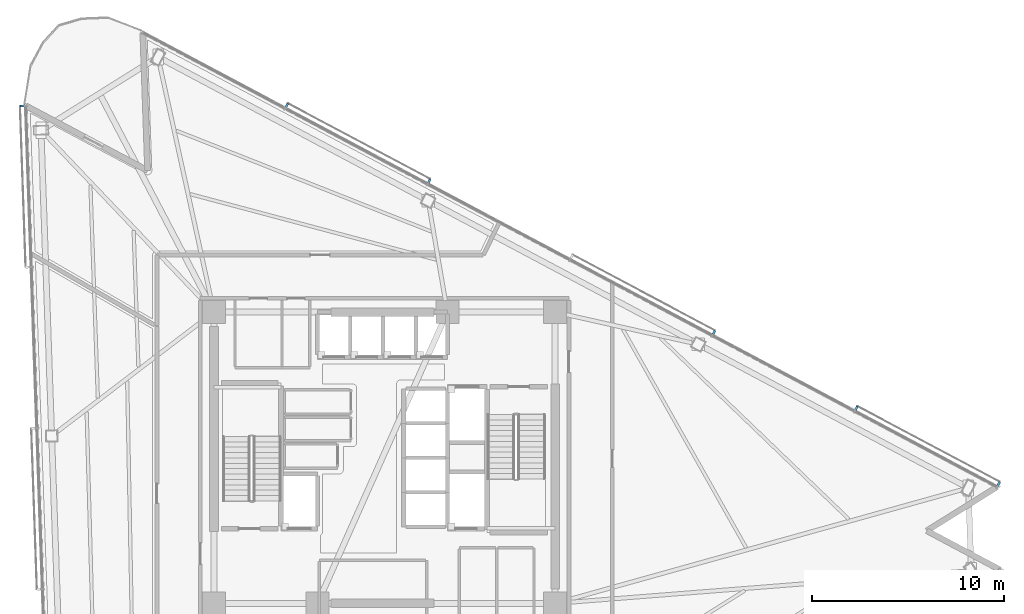
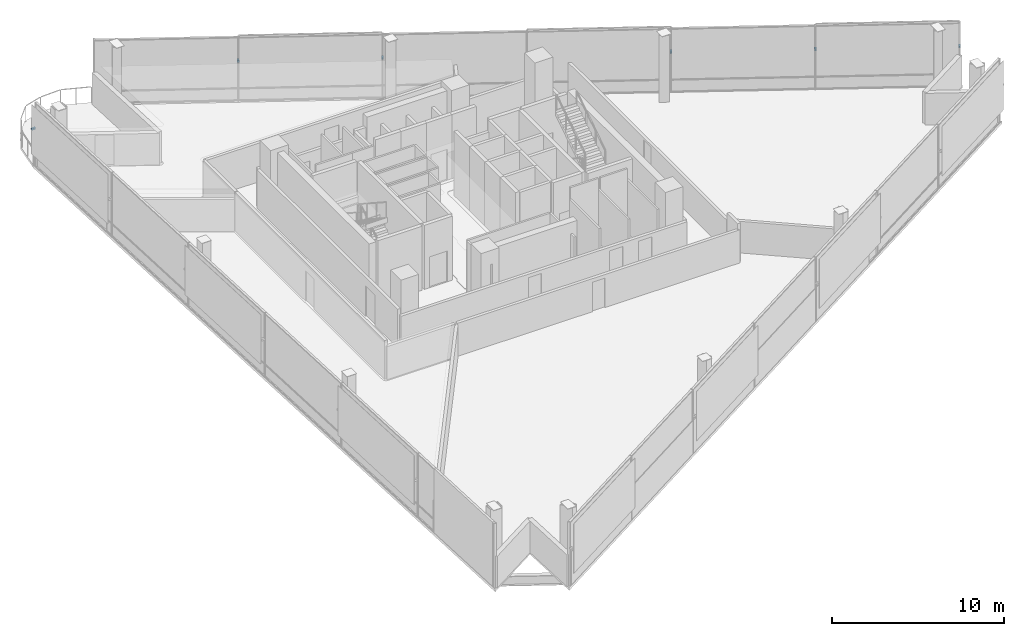
# One storey, part 16 of 19: 6 discrete accessories.
"""IFC4 building model written with IfcOpenShell, lengths in metres."""

import ifcopenshell
import ifcopenshell.guid

model = None  # the IFC model being written
_history = None  # IfcOwnerHistory: only IFC2X3 demands one
_inside = {}  # id of a spatial element -> (the spatial element, [elements in it])
_under = {}  # id of a project, library or spatial element -> (it, [spatial elements below it])
_declared = {}  # id of a project -> (the project, [libraries it declares])
_typed = {}  # id of a type object -> (the type object, [elements of that type])
_made_of = {}  # id of a material, layer set ... -> (it, [elements and type objects made of it])


def new_model(schema):
    """Start an empty IFC model of exactly this schema.

    Asked for "IFC4X3", IfcOpenShell would pick the latest addendum, in which some entities
    have other attributes; the version numbers below select the first issue.
    IFC2X3 requires an IfcOwnerHistory on every rooted entity: one is made here for all.
    """
    global model, _history
    if schema == "IFC4X3":
        model = ifcopenshell.file(schema_version=(4, 3, 0, 0))
    else:
        model = ifcopenshell.file(schema=schema)
    _inside.clear()
    _under.clear()
    _declared.clear()
    _typed.clear()
    _made_of.clear()
    _history = None
    if model.schema == "IFC2X3":
        org = make("IfcOrganization", Name="unknown")
        user = make(
            "IfcPersonAndOrganization",
            ThePerson=make("IfcPerson", FamilyName="unknown"),
            TheOrganization=org,
        )
        app = make(
            "IfcApplication",
            ApplicationDeveloper=org,
            Version="unknown",
            ApplicationFullName="unknown",
            ApplicationIdentifier="unknown",
        )
        _history = make(
            "IfcOwnerHistory",
            OwningUser=user,
            OwningApplication=app,
            ChangeAction="ADDED",
            CreationDate=0,
        )
    return model


def make(cls, **values):
    """One entity of the class cls with the attributes given. An attribute that is None is left unset."""
    return model.create_entity(
        cls, **{name: value for name, value in values.items() if value is not None}
    )


def rooted(cls, **values):
    """An entity with a GlobalId (a new one), such as an element, a storey or a relation."""
    return make(cls, GlobalId=ifcopenshell.guid.new(), OwnerHistory=_history, **values)


def si_unit(unit_type, name, prefix=None):
    """IfcSIUnit, for example si_unit("LENGTHUNIT", "METRE", prefix="MILLI")."""
    return make("IfcSIUnit", UnitType=unit_type, Prefix=prefix, Name=name)


def assignment(units):
    """IfcUnitAssignment: the units of a project."""
    return None if units is None else make("IfcUnitAssignment", Units=units)


def point(xyz):
    """IfcCartesianPoint."""
    return None if xyz is None else make("IfcCartesianPoint", Coordinates=xyz)


def direction(xyz):
    """IfcDirection."""
    return None if xyz is None else make("IfcDirection", DirectionRatios=xyz)


def frame(location, z_axis=None, x_axis=None):
    """IfcAxis2Placement3D, a coordinate frame: its origin and axes. An axis left out is left unset."""
    return make(
        "IfcAxis2Placement3D",
        Location=point(location),
        Axis=direction(z_axis),
        RefDirection=direction(x_axis),
    )


def frame_2d(location, x_axis=None):
    """IfcAxis2Placement2D, a coordinate frame in the plane: its origin and x axis."""
    return make(
        "IfcAxis2Placement2D", Location=point(location), RefDirection=direction(x_axis)
    )


def origin():
    """The frame at (0, 0, 0) with its axes left unset."""
    return frame((0.0, 0.0, 0.0))


def origin_2d():
    """The frame at (0, 0) in the plane with its x axis left unset."""
    return frame_2d((0.0, 0.0))


def place(relative_to, where):
    """IfcLocalPlacement: puts the frame where relative to a parent placement (None: the world)."""
    return make(
        "IfcLocalPlacement", PlacementRelTo=relative_to, RelativePlacement=where
    )


def context(
    kind, dimensions, precision=None, world=None, true_north=None, identifier=None
):
    """IfcGeometricRepresentationContext, for example the 3D "Model" context."""
    return make(
        "IfcGeometricRepresentationContext",
        ContextIdentifier=identifier,
        ContextType=kind,
        CoordinateSpaceDimension=dimensions,
        Precision=precision,
        WorldCoordinateSystem=world,
        TrueNorth=true_north,
    )


def subcontext(parent, identifier, kind, view, scale=None):
    """IfcGeometricRepresentationSubContext, for example "Body" below "Model"."""
    return make(
        "IfcGeometricRepresentationSubContext",
        ContextIdentifier=identifier,
        ContextType=kind,
        ParentContext=parent,
        TargetScale=scale,
        TargetView=view,
    )


def project(units=None, contexts=None):
    """IfcProject with its units and contexts."""
    return rooted(
        "IfcProject",
        Name="project",
        RepresentationContexts=contexts,
        UnitsInContext=assignment(units),
    )


def spatial(cls, under=None, at=None, **own):
    """A site, building, storey or space (cls), placed at a placement, below another one or the project."""
    s = rooted(cls, ObjectPlacement=at, **own)
    if under is not None:
        _under.setdefault(under.id(), (under, []))[1].append(s)
    return s


def profile(cls, at=None, kind="AREA", **sizes):
    """A parametric profile (cls). Its sizes go by their IFC names, for example OverallWidth=200.0."""
    return make(cls, ProfileType=kind, Position=at, **sizes)


def rectangle(**sizes):
    """IfcRectangleProfileDef."""
    return profile("IfcRectangleProfileDef", **sizes)


def extrude(swept, where, along, depth):
    """IfcExtrudedAreaSolid: the profile swept, set in the frame where, extruded along a direction by depth."""
    return make(
        "IfcExtrudedAreaSolid",
        SweptArea=swept,
        Position=where,
        ExtrudedDirection=direction(along),
        Depth=depth,
    )


def shape(context_of_items, identifier, shape_type, items):
    """IfcShapeRepresentation: the items that make up one representation, for example the "Body"."""
    return make(
        "IfcShapeRepresentation",
        ContextOfItems=context_of_items,
        RepresentationIdentifier=identifier,
        RepresentationType=shape_type,
        Items=items,
    )


def material(Name=None, Category=None):
    """IfcMaterial."""
    return make("IfcMaterial", Name=Name, Category=Category)


def made_of(thing, what):
    """Note that an element or type object is made of a material, layer set ...; save() writes the relation."""
    if what is not None:
        _made_of.setdefault(what.id(), (what, []))[1].append(thing)
    return thing


def type_object(cls, material=None, **own):
    """A type object (cls), such as IfcWallType, which elements share."""
    return made_of(rooted(cls, **own), material)


def element(
    cls,
    number,
    at=None,
    inside=None,
    cuts=None,
    type_object=None,
    material=None,
    context=None,
    identifier="Body",
    shape_type=None,
    held_by="IfcProductDefinitionShape",
    body=None,
    shapes=None,
    **own,
):
    """One element of the class cls, such as IfcWall. Its Tag is "e" and its number.

    at: its placement. inside: the storey or other place that contains it. cuts: it is an
    opening in that element (IfcRelVoidsElement). A single representation is given by context,
    identifier, shape_type and body (its items); several are given by shapes. held_by: the class
    of the entity that holds the representations. save() writes the other relations.
    """
    e = rooted(cls, Tag="e%d" % number, ObjectPlacement=at, **own)
    if body is not None:
        shapes = [shape(context, identifier, shape_type, body)]
    if shapes is not None:
        e.Representation = make(held_by, Representations=shapes)
    if inside is not None:
        _inside.setdefault(inside.id(), (inside, []))[1].append(e)
    if cuts is not None:
        rooted(
            "IfcRelVoidsElement", RelatingBuildingElement=cuts, RelatedOpeningElement=e
        )
    if type_object is not None:
        _typed.setdefault(type_object.id(), (type_object, []))[1].append(e)
    return made_of(e, material)


def aggregate(whole, parts):
    """IfcRelAggregates: a whole, such as a stair, and the parts it consists of."""
    return rooted("IfcRelAggregates", RelatingObject=whole, RelatedObjects=parts)


def save(model, path):
    """Write the relations noted so far, then the file.

    IfcRelAggregates (storeys below a building ...), IfcRelContainedInSpatialStructure (elements
    in a storey), IfcRelDefinesByType, IfcRelAssociatesMaterial and IfcRelDeclares: one each for
    every whole, place, type object, material and project.
    """
    for whole, parts in _under.values():
        aggregate(whole, parts)
    for where, things in _inside.values():
        rooted(
            "IfcRelContainedInSpatialStructure",
            RelatedElements=things,
            RelatingStructure=where,
        )
    for kind, things in _typed.values():
        rooted("IfcRelDefinesByType", RelatedObjects=things, RelatingType=kind)
    for what, things in _made_of.values():
        rooted("IfcRelAssociatesMaterial", RelatedObjects=things, RelatingMaterial=what)
    for by, libraries in _declared.values():
        rooted("IfcRelDeclares", RelatingContext=by, RelatedDefinitions=libraries)
    model.write(path)


model = new_model("IFC4")

# Units and contexts
model_context = context("Model", 3, precision=1e-05, world=origin(), true_north=direction((0.0, 1.0)))
body_context = subcontext(model_context, "Body", "Model", "MODEL_VIEW")
ifc_project = project(units=[si_unit("LENGTHUNIT", "METRE"), si_unit("AREAUNIT", "SQUARE_METRE"), si_unit("VOLUMEUNIT", "CUBIC_METRE"), si_unit("PLANEANGLEUNIT", "RADIAN"), si_unit("MASSUNIT", "GRAM", prefix="KILO")], contexts=[model_context])

# Site, building, storey
site_placement = place(None, origin())
site = spatial("IfcSite", under=ifc_project, at=site_placement, CompositionType="ELEMENT")
building_placement = place(site_placement, origin())
building = spatial("IfcBuilding", under=site, at=building_placement, Name="Tharavind Bronze Gate", CompositionType="ELEMENT")
storey_placement = place(building_placement, frame((0.0, 0.0, 160.39990234375)))
storey = spatial("IfcBuildingStorey", under=building, at=storey_placement, Name="L41", CompositionType="ELEMENT", Elevation=160.39990234375)

# Discrete accessories
ifc_material = material(Name="Stainless Steel 316", Category="steel")
discrete_accessory_type = type_object("IfcDiscreteAccessoryType", Name="SOLAR SCREEN STANDOFF BRACKET", PredefinedType="BRACKET", material=ifc_material)
for number, where, z_axis, x_axis, name in (
    (1, (-18.899658203125, 18.358154296875, 2.66748046875), (0.0, 0.0, 1.0), (0.034899496703, -0.999390827019, 0.0), "CW-L41-S1 solar screen bracket 1.1"),
    (2, (32.04833984375, -1.363525390625, 2.66748046875), (0.0, 0.0, 1.0), (-0.882947592859, 0.469471562786, 0.0), "CW-L41-S3 solar screen bracket 1.1"),
    (3, (24.61865234375, 2.5869140625, 2.66748046875), (0.0, 0.0, 1.0), (-0.882947592859, 0.469471562786, 0.0), "CW-L41-S3 solar screen bracket 1.2"),
    (4, (17.189208984375, 6.537109375, 2.66748046875), (0.0, 0.0, 1.0), (-0.882947592859, 0.469471562786, 0.0), "CW-L41-S3 solar screen bracket 3.1"),
    (5, (2.329833984375, 14.43798828125, 2.66748046875), (0.0, 0.0, 1.0), (-0.882947592859, 0.469471562786, 0.0), "CW-L41-S3 solar screen bracket 5.1"),
    (6, (-5.099853515625, 18.388427734375, 2.66748046875), (0.0, 0.0, 1.0), (-0.882947592859, 0.469471562786, 0.0), "CW-L41-S3 solar screen bracket 5.2"),
):
    element("IfcDiscreteAccessory", number, at=place(storey_placement, frame(where, z_axis=z_axis, x_axis=x_axis)), inside=storey, type_object=discrete_accessory_type, Name=name, PredefinedType="BRACKET", context=body_context, shape_type="SweptSolid", body=[
        extrude(rectangle(XDim=0.1201171875, YDim=0.239990234375, at=origin_2d()), origin(), (0.0, 0.0, 1.0), 0.1201171875),
    ])

save(model, "model.ifc")
